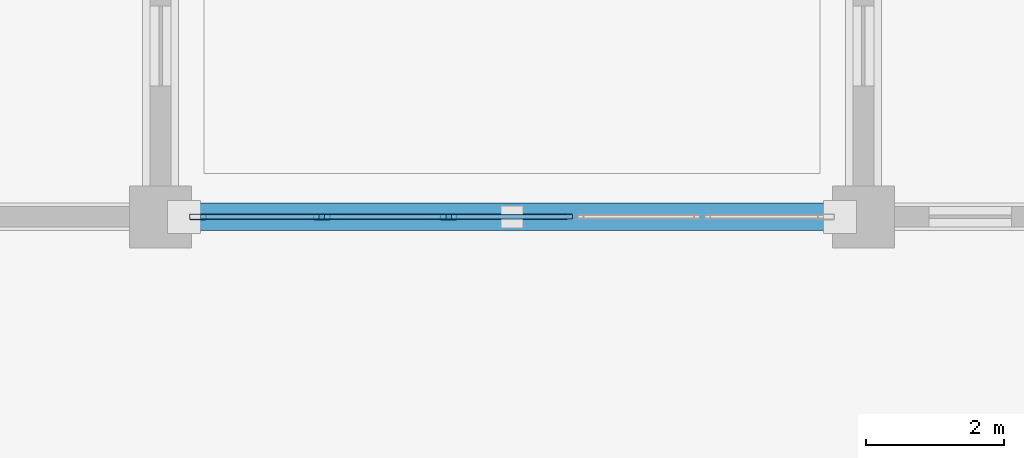
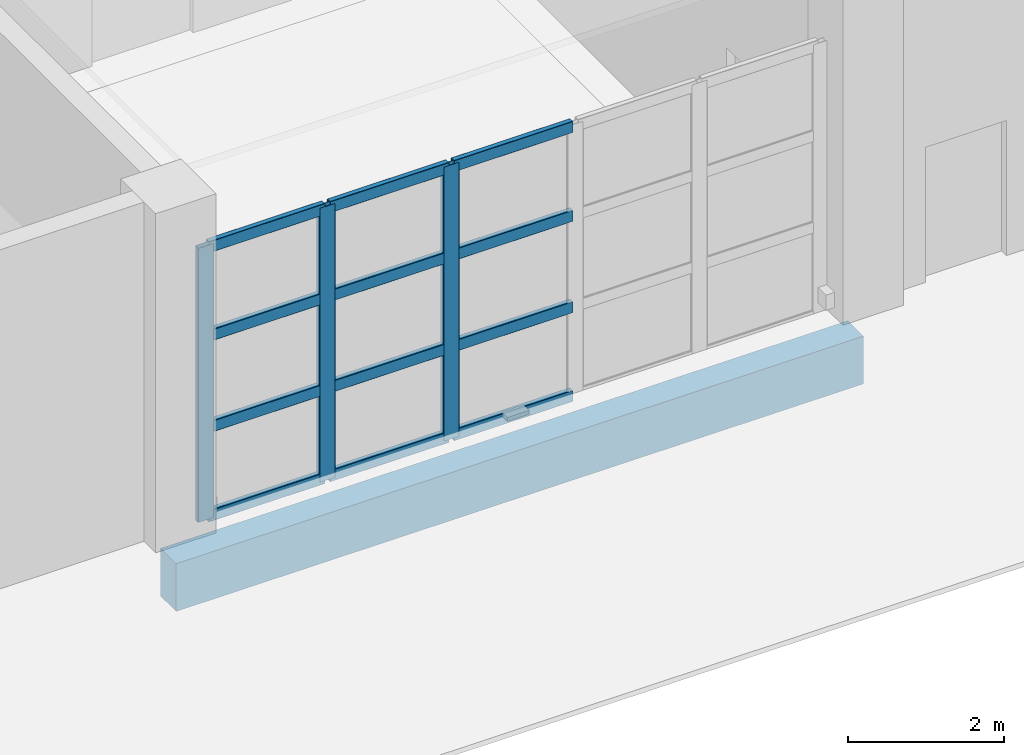
# One storey, part 26 of 124: 15 members, 1 beam, 1 element without a shape of its own.
"""IFC4 building model written with IfcOpenShell, lengths in metres."""

from ifc_helpers import new_model, si_unit, direction, frame, origin, origin_2d, place, context, subcontext, project, spatial, rectangle, hollow_rectangle, extrude, material, material_profile, profile_set, type_object, element, aggregate, save


model = new_model("IFC4")

# Units and contexts
model_context = context("Model", 3, precision=1e-05, world=origin(), true_north=direction((0.0, 1.0)))
body_context = subcontext(model_context, "Body", "Model", "MODEL_VIEW")
ifc_project = project(units=[si_unit("LENGTHUNIT", "METRE"), si_unit("AREAUNIT", "SQUARE_METRE"), si_unit("VOLUMEUNIT", "CUBIC_METRE"), si_unit("PLANEANGLEUNIT", "RADIAN"), si_unit("MASSUNIT", "GRAM", prefix="KILO")], contexts=[model_context])

# Site, building, storey
site_placement = place(None, origin())
site = spatial("IfcSite", under=ifc_project, at=site_placement, CompositionType="ELEMENT")
building_placement = place(site_placement, origin())
building = spatial("IfcBuilding", under=site, at=building_placement, Name="Brelvane Convention Centre", CompositionType="ELEMENT")
storey_placement = place(building_placement, origin())
storey = spatial("IfcBuildingStorey", under=building, at=storey_placement, Name="L00", CompositionType="ELEMENT", Elevation=0.0)

# Curtain wall, members
ifc_material_1 = material(Name="Anodised Aluminium Alloy 6063-T6", Category="aluminium")
curtain_wall_type = type_object("IfcCurtainWallType", Name="Curtain Wall CW-CONC", PredefinedType="USERDEFINED", material=ifc_material_1)
curtain_wall_placement = place(storey_placement, origin())
curtain_wall = element("IfcCurtainWall", 1, at=curtain_wall_placement, inside=storey, type_object=curtain_wall_type, Name="Curtain Wall CW-CONC L00-V1S-05", ObjectType="UNITISED", PredefinedType="USERDEFINED")
ifc_material_2 = material(Name="Anodised Aluminium Alloy 6063-T6", Category="aluminium")
ifc_material_profile_1 = material_profile(ifc_material_2, hollow_rectangle(XDim=0.080078125, YDim=0.239990234375, WallThickness=0.006103515625, InnerFilletRadius=0.006103515625, OuterFilletRadius=0.011962890625, at=origin_2d()), Name="ALU-M 240x80x6.0")
ifc_profile_set_1 = profile_set([ifc_material_profile_1], Name="Anodised Aluminium Alloy 6063-T6")
member_type_1 = type_object("IfcMemberType", Name="Curtain Mullion CW-M1", PredefinedType="MULLION", material=ifc_profile_set_1)
member_1_placement = place(storey_placement, frame((41.340087890625, 19.199951171875, 0.0), z_axis=(0.0, 0.0, 1.0), x_axis=(0.0, 1.0, 0.0)))
member_1 = element("IfcMember", 2, at=member_1_placement, type_object=member_type_1, Name="CW-CONC mullion 1", PredefinedType="MULLION", context=body_context, shape_type="SweptSolid", body=[
    extrude(hollow_rectangle(XDim=0.080078125, YDim=0.239990234375, WallThickness=0.006103515625, InnerFilletRadius=0.006103515625, OuterFilletRadius=0.011962890625, at=origin_2d()), origin(), (0.0, 0.0, 1.0), 4.300048828125),
])
member_2_placement = place(storey_placement, frame((43.139892578125, 19.199951171875, 0.0), z_axis=(0.0, 0.0, 1.0), x_axis=(0.0, 1.0, 0.0)))
member_2 = element("IfcMember", 3, at=member_2_placement, type_object=member_type_1, Name="CW-CONC mullion 2", PredefinedType="MULLION", context=body_context, shape_type="SweptSolid", body=[
    extrude(hollow_rectangle(XDim=0.080078125, YDim=0.239990234375, WallThickness=0.006103515625, InnerFilletRadius=0.006103515625, OuterFilletRadius=0.011962890625, at=origin_2d()), origin(), (0.0, 0.0, 1.0), 4.300048828125),
])
member_3_placement = place(storey_placement, frame((44.97998046875, 19.199951171875, 0.0), z_axis=(0.0, 0.0, 1.0), x_axis=(0.0, 1.0, 0.0)))
member_3 = element("IfcMember", 4, at=member_3_placement, type_object=member_type_1, Name="CW-CONC mullion 3", PredefinedType="MULLION", context=body_context, shape_type="SweptSolid", body=[
    extrude(hollow_rectangle(XDim=0.080078125, YDim=0.239990234375, WallThickness=0.006103515625, InnerFilletRadius=0.006103515625, OuterFilletRadius=0.011962890625, at=origin_2d()), origin(), (0.0, 0.0, 1.0), 4.300048828125),
])
ifc_material_3 = material(Name="Anodised Aluminium Alloy 6063-T6", Category="aluminium")
ifc_material_profile_2 = material_profile(ifc_material_3, hollow_rectangle(XDim=0.080078125, YDim=0.179931640625, WallThickness=0.0048828125, InnerFilletRadius=0.0048828125, OuterFilletRadius=0.010009765625, at=origin_2d()), Name="ALU-T 180x80x5.0")
ifc_profile_set_2 = profile_set([ifc_material_profile_2], Name="Anodised Aluminium Alloy 6063-T6")
member_type_2 = type_object("IfcMemberType", Name="Curtain Transom CW-T1", PredefinedType="USERDEFINED", material=ifc_profile_set_2)
member_4_placement = place(storey_placement, frame((41.3798828125, 19.199951171875, 0.0400390625), z_axis=(1.0, 0.0, 0.0), x_axis=(0.0, 1.0, 0.0)))
member_4 = element("IfcMember", 5, at=member_4_placement, type_object=member_type_2, Name="CW-CONC transom 1.1", ObjectType="TRANSOM", PredefinedType="USERDEFINED", context=body_context, shape_type="SweptSolid", body=[
    extrude(hollow_rectangle(XDim=0.080078125, YDim=0.179931640625, WallThickness=0.0048828125, InnerFilletRadius=0.0048828125, OuterFilletRadius=0.010009765625, at=origin_2d()), origin(), (0.0, 0.0, 1.0), 1.72021484375),
])
member_5_placement = place(storey_placement, frame((41.3798828125, 19.199951171875, 1.433349609375), z_axis=(1.0, 0.0, 0.0), x_axis=(0.0, 1.0, 0.0)))
member_5 = element("IfcMember", 6, at=member_5_placement, type_object=member_type_2, Name="CW-CONC transom 1.2", ObjectType="TRANSOM", PredefinedType="USERDEFINED", context=body_context, shape_type="SweptSolid", body=[
    extrude(hollow_rectangle(XDim=0.080078125, YDim=0.179931640625, WallThickness=0.0048828125, InnerFilletRadius=0.0048828125, OuterFilletRadius=0.010009765625, at=origin_2d()), origin(), (0.0, 0.0, 1.0), 1.72021484375),
])
member_6_placement = place(storey_placement, frame((41.3798828125, 19.199951171875, 2.86669921875), z_axis=(1.0, 0.0, 0.0), x_axis=(0.0, 1.0, 0.0)))
member_6 = element("IfcMember", 7, at=member_6_placement, type_object=member_type_2, Name="CW-CONC transom 1.3", ObjectType="TRANSOM", PredefinedType="USERDEFINED", context=body_context, shape_type="SweptSolid", body=[
    extrude(hollow_rectangle(XDim=0.080078125, YDim=0.179931640625, WallThickness=0.0048828125, InnerFilletRadius=0.0048828125, OuterFilletRadius=0.010009765625, at=origin_2d()), origin(), (0.0, 0.0, 1.0), 1.72021484375),
])
member_7_placement = place(storey_placement, frame((41.3798828125, 19.199951171875, 4.260009765625), z_axis=(1.0, 0.0, 0.0), x_axis=(0.0, 1.0, 0.0)))
member_7 = element("IfcMember", 8, at=member_7_placement, type_object=member_type_2, Name="CW-CONC transom 1.4", ObjectType="TRANSOM", PredefinedType="USERDEFINED", context=body_context, shape_type="SweptSolid", body=[
    extrude(hollow_rectangle(XDim=0.080078125, YDim=0.179931640625, WallThickness=0.0048828125, InnerFilletRadius=0.0048828125, OuterFilletRadius=0.010009765625, at=origin_2d()), origin(), (0.0, 0.0, 1.0), 1.72021484375),
])
member_8_placement = place(storey_placement, frame((43.179931640625, 19.199951171875, 0.0400390625), z_axis=(1.0, 0.0, 0.0), x_axis=(0.0, 1.0, 0.0)))
member_8 = element("IfcMember", 9, at=member_8_placement, type_object=member_type_2, Name="CW-CONC transom 2.1", ObjectType="TRANSOM", PredefinedType="USERDEFINED", context=body_context, shape_type="SweptSolid", body=[
    extrude(hollow_rectangle(XDim=0.080078125, YDim=0.179931640625, WallThickness=0.0048828125, InnerFilletRadius=0.0048828125, OuterFilletRadius=0.010009765625, at=origin_2d()), origin(), (0.0, 0.0, 1.0), 1.760009765625),
])
member_9_placement = place(storey_placement, frame((43.179931640625, 19.199951171875, 1.433349609375), z_axis=(1.0, 0.0, 0.0), x_axis=(0.0, 1.0, 0.0)))
member_9 = element("IfcMember", 10, at=member_9_placement, type_object=member_type_2, Name="CW-CONC transom 2.2", ObjectType="TRANSOM", PredefinedType="USERDEFINED", context=body_context, shape_type="SweptSolid", body=[
    extrude(hollow_rectangle(XDim=0.080078125, YDim=0.179931640625, WallThickness=0.0048828125, InnerFilletRadius=0.0048828125, OuterFilletRadius=0.010009765625, at=origin_2d()), origin(), (0.0, 0.0, 1.0), 1.760009765625),
])
member_10_placement = place(storey_placement, frame((43.179931640625, 19.199951171875, 2.86669921875), z_axis=(1.0, 0.0, 0.0), x_axis=(0.0, 1.0, 0.0)))
member_10 = element("IfcMember", 11, at=member_10_placement, type_object=member_type_2, Name="CW-CONC transom 2.3", ObjectType="TRANSOM", PredefinedType="USERDEFINED", context=body_context, shape_type="SweptSolid", body=[
    extrude(hollow_rectangle(XDim=0.080078125, YDim=0.179931640625, WallThickness=0.0048828125, InnerFilletRadius=0.0048828125, OuterFilletRadius=0.010009765625, at=origin_2d()), origin(), (0.0, 0.0, 1.0), 1.760009765625),
])
member_11_placement = place(storey_placement, frame((43.179931640625, 19.199951171875, 4.260009765625), z_axis=(1.0, 0.0, 0.0), x_axis=(0.0, 1.0, 0.0)))
member_11 = element("IfcMember", 12, at=member_11_placement, type_object=member_type_2, Name="CW-CONC transom 2.4", ObjectType="TRANSOM", PredefinedType="USERDEFINED", context=body_context, shape_type="SweptSolid", body=[
    extrude(hollow_rectangle(XDim=0.080078125, YDim=0.179931640625, WallThickness=0.0048828125, InnerFilletRadius=0.0048828125, OuterFilletRadius=0.010009765625, at=origin_2d()), origin(), (0.0, 0.0, 1.0), 1.760009765625),
])
member_12_placement = place(storey_placement, frame((45.02001953125, 19.199951171875, 0.0400390625), z_axis=(1.0, 0.0, 0.0), x_axis=(0.0, 1.0, 0.0)))
member_12 = element("IfcMember", 13, at=member_12_placement, type_object=member_type_2, Name="CW-CONC transom 3.1", ObjectType="TRANSOM", PredefinedType="USERDEFINED", context=body_context, shape_type="SweptSolid", body=[
    extrude(hollow_rectangle(XDim=0.080078125, YDim=0.179931640625, WallThickness=0.0048828125, InnerFilletRadius=0.0048828125, OuterFilletRadius=0.010009765625, at=origin_2d()), origin(), (0.0, 0.0, 1.0), 1.760009765625),
])
member_13_placement = place(storey_placement, frame((45.02001953125, 19.199951171875, 1.433349609375), z_axis=(1.0, 0.0, 0.0), x_axis=(0.0, 1.0, 0.0)))
member_13 = element("IfcMember", 14, at=member_13_placement, type_object=member_type_2, Name="CW-CONC transom 3.2", ObjectType="TRANSOM", PredefinedType="USERDEFINED", context=body_context, shape_type="SweptSolid", body=[
    extrude(hollow_rectangle(XDim=0.080078125, YDim=0.179931640625, WallThickness=0.0048828125, InnerFilletRadius=0.0048828125, OuterFilletRadius=0.010009765625, at=origin_2d()), origin(), (0.0, 0.0, 1.0), 1.760009765625),
])
member_14_placement = place(storey_placement, frame((45.02001953125, 19.199951171875, 2.86669921875), z_axis=(1.0, 0.0, 0.0), x_axis=(0.0, 1.0, 0.0)))
member_14 = element("IfcMember", 15, at=member_14_placement, type_object=member_type_2, Name="CW-CONC transom 3.3", ObjectType="TRANSOM", PredefinedType="USERDEFINED", context=body_context, shape_type="SweptSolid", body=[
    extrude(hollow_rectangle(XDim=0.080078125, YDim=0.179931640625, WallThickness=0.0048828125, InnerFilletRadius=0.0048828125, OuterFilletRadius=0.010009765625, at=origin_2d()), origin(), (0.0, 0.0, 1.0), 1.760009765625),
])
member_15_placement = place(storey_placement, frame((45.02001953125, 19.199951171875, 4.260009765625), z_axis=(1.0, 0.0, 0.0), x_axis=(0.0, 1.0, 0.0)))
member_15 = element("IfcMember", 16, at=member_15_placement, type_object=member_type_2, Name="CW-CONC transom 3.4", ObjectType="TRANSOM", PredefinedType="USERDEFINED", context=body_context, shape_type="SweptSolid", body=[
    extrude(hollow_rectangle(XDim=0.080078125, YDim=0.179931640625, WallThickness=0.0048828125, InnerFilletRadius=0.0048828125, OuterFilletRadius=0.010009765625, at=origin_2d()), origin(), (0.0, 0.0, 1.0), 1.760009765625),
])
aggregate(curtain_wall, [member_1, member_2, member_3, member_4, member_5, member_6, member_7, member_8, member_9, member_10, member_11, member_12, member_13, member_14, member_15])

# Beam
ifc_material_4 = material(Name="Concrete M40", Category="concrete")
ifc_material_profile_3 = material_profile(ifc_material_4, rectangle(XDim=0.39990234375, YDim=0.75, at=origin_2d()), Name="RC 400x750")
ifc_profile_set_3 = profile_set([ifc_material_profile_3], Name="Concrete M40")
beam_type = type_object("IfcBeamType", Name="RC Spandrel SP-RC1 (RC 400x750)", PredefinedType="SPANDREL", material=ifc_profile_set_3)
beam_placement = place(storey_placement, frame((40.800048828125, 19.199951171875, -0.77490234375), z_axis=(1.0, 0.0, 0.0), x_axis=(0.0, 1.0, 0.0)))
element("IfcBeam", 17, at=beam_placement, inside=storey, type_object=beam_type, Name="L00 Beam 5-6/C", PredefinedType="SPANDREL", context=body_context, shape_type="SweptSolid", body=[
    extrude(rectangle(XDim=0.39990234375, YDim=0.75, at=origin_2d()), origin(), (0.0, 0.0, 1.0), 10.199951171875),
])

save(model, "model.ifc")
